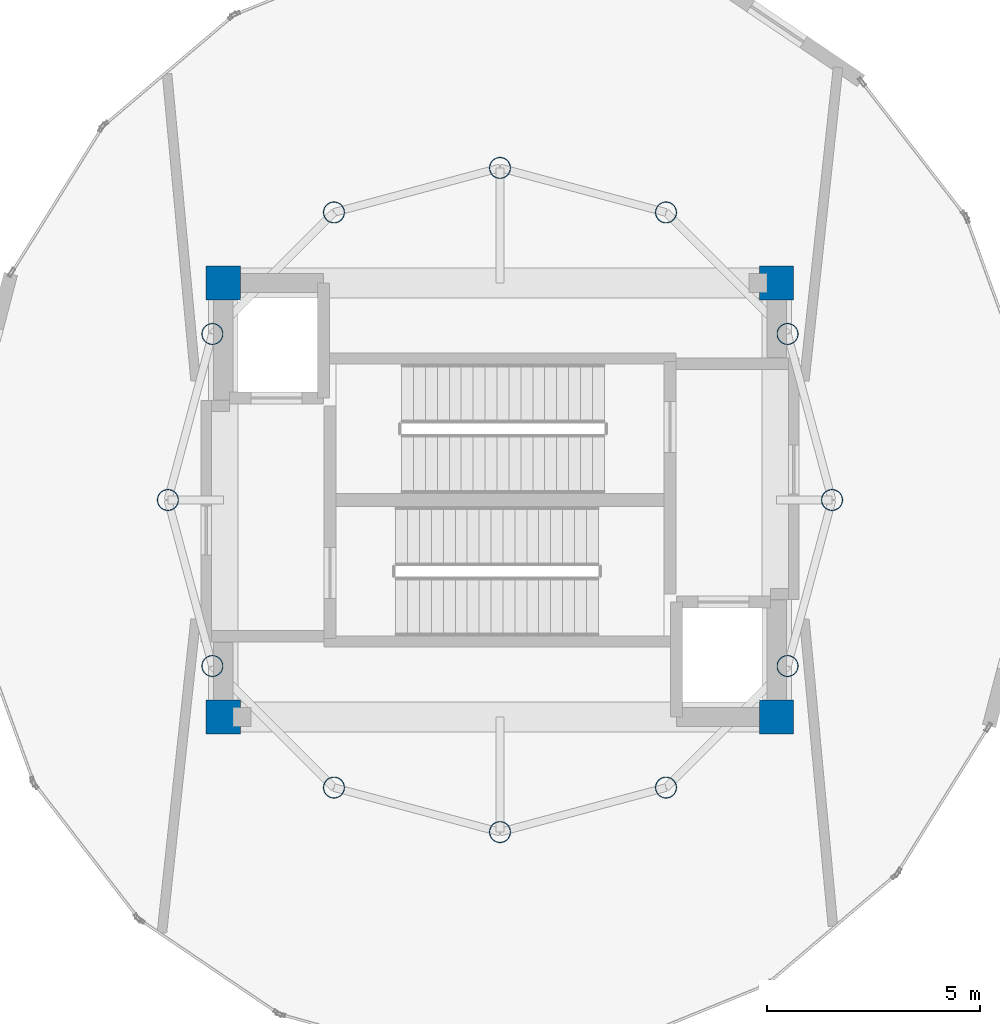
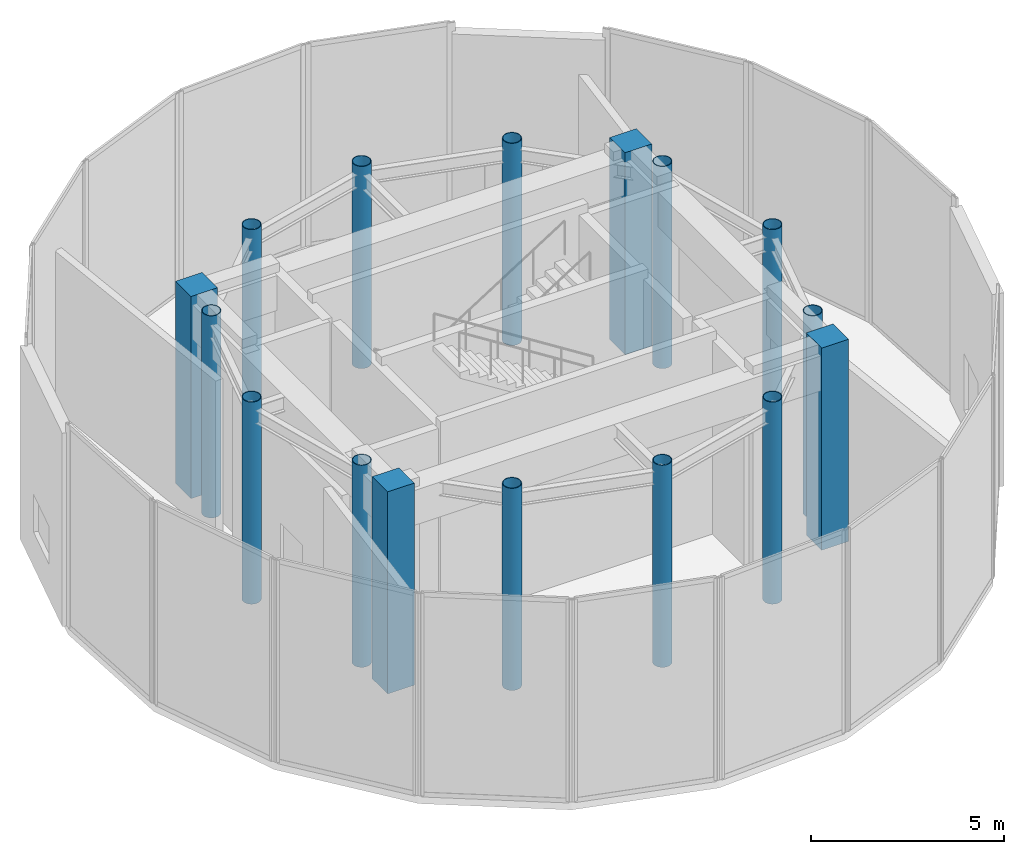
# One storey, part 1 of 10: 16 columns.
"""IFC4 building model written with IfcOpenShell, lengths in metres."""

from ifc_helpers import new_model, si_unit, direction, frame, origin, origin_2d, place, context, subcontext, project, spatial, rectangle, hollow_circle, extrude, material, material_profile, profile_set, type_object, element, save


model = new_model("IFC4")

# Units and contexts
model_context = context("Model", 3, precision=1e-05, world=origin(), true_north=direction((0.0, 1.0)))
body_context = subcontext(model_context, "Body", "Model", "MODEL_VIEW")
ifc_project = project(units=[si_unit("LENGTHUNIT", "METRE"), si_unit("AREAUNIT", "SQUARE_METRE"), si_unit("VOLUMEUNIT", "CUBIC_METRE"), si_unit("PLANEANGLEUNIT", "RADIAN"), si_unit("MASSUNIT", "GRAM", prefix="KILO")], contexts=[model_context])

# Site, building, storey
site_placement = place(None, origin())
site = spatial("IfcSite", under=ifc_project, at=site_placement, CompositionType="ELEMENT")
building_placement = place(site_placement, origin())
building = spatial("IfcBuilding", under=site, at=building_placement, Name="Solvirekh Grand Hotel", CompositionType="ELEMENT")
storey_placement = place(building_placement, frame((0.0, 0.0, 308.199951171875)))
storey = spatial("IfcBuildingStorey", under=building, at=storey_placement, Name="L79", CompositionType="ELEMENT", Elevation=308.199951171875)

# Columns
ifc_material_1 = material(Name="Concrete C50/60", Category="concrete")
ifc_material_profile_1 = material_profile(ifc_material_1, rectangle(XDim=0.800048828125, YDim=0.800048828125, at=origin_2d()), Name="RC 800X800")
ifc_profile_set_1 = profile_set([ifc_material_profile_1], Name="Concrete C50/60")
column_type_1 = type_object("IfcColumnType", Name="Col_Core_800", PredefinedType="COLUMN", material=ifc_profile_set_1)
for number, where, z_axis, x_axis, name in (
    (1, (-6.5, -5.10009765625, 0.0), (0.0, 0.0, 1.0), (1.0, 0.0, 0.0), "L79 core corner column CC1"),
    (2, (6.5, -5.10009765625, 0.0), (0.0, 0.0, 1.0), (1.0, 0.0, 0.0), "L79 core corner column CC2"),
    (3, (6.5, 5.10009765625, 0.0), (0.0, 0.0, 1.0), (1.0, 0.0, 0.0), "L79 core corner column CC3"),
    (4, (-6.5, 5.10009765625, 0.0), (0.0, 0.0, 1.0), (1.0, 0.0, 0.0), "L79 core corner column CC4"),
):
    element("IfcColumn", number, at=place(storey_placement, frame(where, z_axis=z_axis, x_axis=x_axis)), inside=storey, type_object=column_type_1, Name=name, PredefinedType="COLUMN", context=body_context, shape_type="SweptSolid", body=[
        extrude(rectangle(XDim=0.800048828125, YDim=0.800048828125, at=origin_2d()), origin(), (0.0, 0.0, 1.0), 6.400146484375),
    ])
ifc_material_2 = material(Name="Steel S460", Category="steel")
ifc_material_profile_2 = material_profile(ifc_material_2, hollow_circle(Radius=0.25390625, WallThickness=0.02001953125, at=origin_2d()), Name="CHS 508X20")
ifc_profile_set_2 = profile_set([ifc_material_profile_2], Name="Steel S460")
column_type_2 = type_object("IfcColumnType", Name="Col_Crown_CHS508", PredefinedType="COLUMN", material=ifc_profile_set_2)
for number, where, z_axis, x_axis, name in (
    (5, (7.800048828125, 0.0, 0.0), (0.0, 0.0, 1.0), (1.0, 0.0, 0.0), "L79 perimeter column P01"),
    (6, (6.7548828125, 3.89990234375, 0.0), (0.0, 0.0, 1.0), (1.0, 0.0, 0.0), "L79 perimeter column P02"),
    (7, (3.89990234375, 6.7548828125, 0.0), (0.0, 0.0, 1.0), (1.0, 0.0, 0.0), "L79 perimeter column P03"),
    (8, (0.0, 7.800048828125, 0.0), (0.0, 0.0, 1.0), (1.0, 0.0, 0.0), "L79 perimeter column P04"),
    (9, (-3.89990234375, 6.7548828125, 0.0), (0.0, 0.0, 1.0), (1.0, 0.0, 0.0), "L79 perimeter column P05"),
    (10, (-6.7548828125, 3.89990234375, 0.0), (0.0, 0.0, 1.0), (1.0, 0.0, 0.0), "L79 perimeter column P06"),
    (11, (-7.800048828125, 0.0, 0.0), (0.0, 0.0, 1.0), (1.0, 0.0, 0.0), "L79 perimeter column P07"),
    (12, (-6.7548828125, -3.89990234375, 0.0), (0.0, 0.0, 1.0), (1.0, 0.0, 0.0), "L79 perimeter column P08"),
    (13, (-3.89990234375, -6.7548828125, 0.0), (0.0, 0.0, 1.0), (1.0, 0.0, 0.0), "L79 perimeter column P09"),
    (14, (0.0, -7.800048828125, 0.0), (0.0, 0.0, 1.0), (1.0, 0.0, 0.0), "L79 perimeter column P10"),
    (15, (3.89990234375, -6.7548828125, 0.0), (0.0, 0.0, 1.0), (1.0, 0.0, 0.0), "L79 perimeter column P11"),
    (16, (6.7548828125, -3.89990234375, 0.0), (0.0, 0.0, 1.0), (1.0, 0.0, 0.0), "L79 perimeter column P12"),
):
    element("IfcColumn", number, at=place(storey_placement, frame(where, z_axis=z_axis, x_axis=x_axis)), inside=storey, type_object=column_type_2, Name=name, PredefinedType="COLUMN", context=body_context, shape_type="SweptSolid", body=[
        extrude(hollow_circle(Radius=0.25390625, WallThickness=0.02001953125, at=origin_2d()), origin(), (0.0, 0.0, 1.0), 6.400146484375),
    ])

save(model, "model.ifc")
